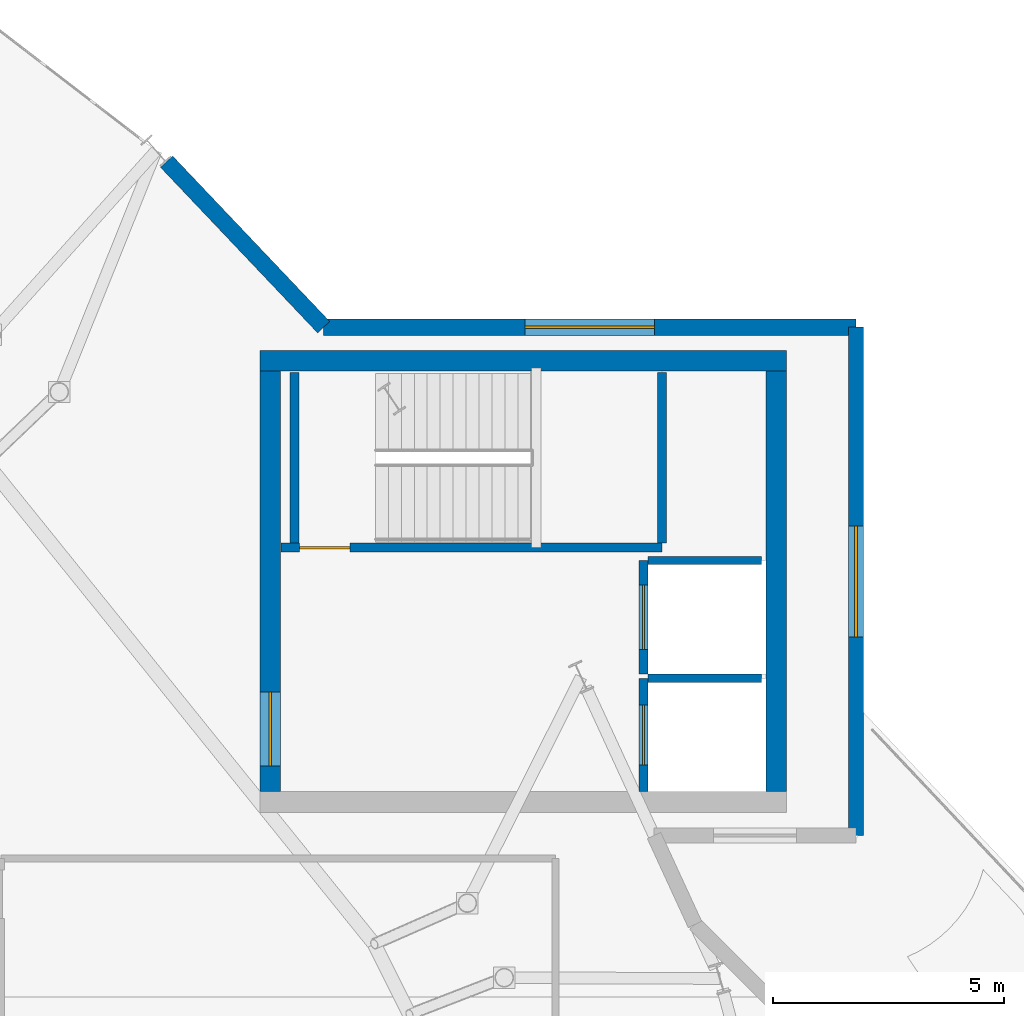
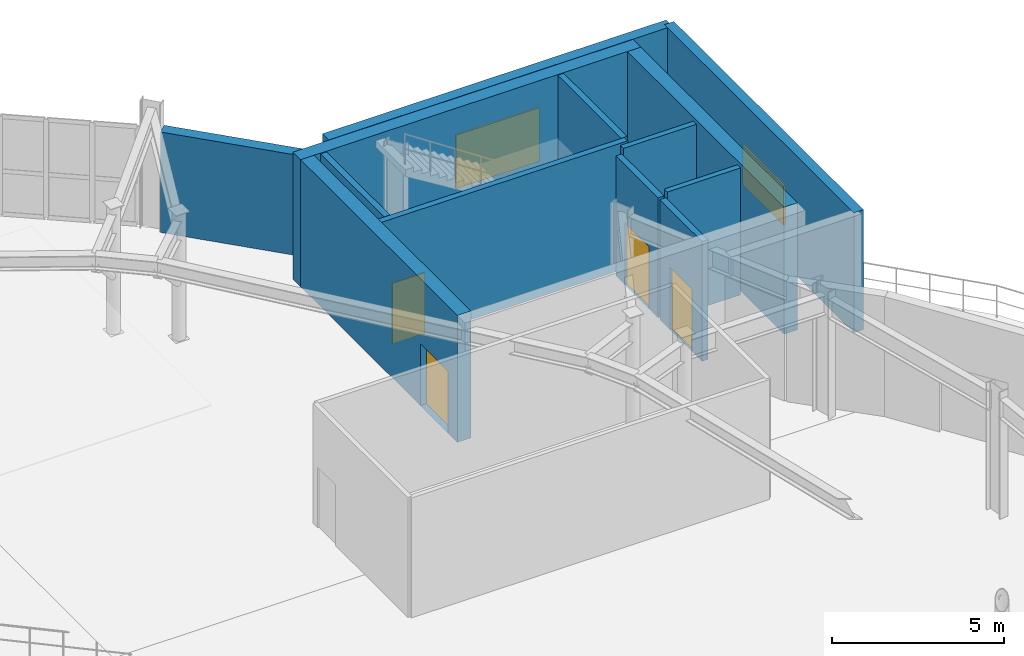
# One storey, part 42 of 48: 13 walls, 4 doors, 2 windows, 6 openings.
"""IFC4 building model written with IfcOpenShell, lengths in metres."""

from ifc_helpers import new_model, si_unit, direction, frame, frame_2d, origin, place, context, subcontext, project, spatial, rectangle, extrude, material, layer, layer_set, type_object, element, fill, save


model = new_model("IFC4")

# Units and contexts
model_context = context("Model", 3, precision=1e-05, world=origin(), true_north=direction((0.0, 1.0)))
body_context = subcontext(model_context, "Body", "Model", "MODEL_VIEW")
ifc_project = project(units=[si_unit("LENGTHUNIT", "METRE"), si_unit("AREAUNIT", "SQUARE_METRE"), si_unit("VOLUMEUNIT", "CUBIC_METRE"), si_unit("PLANEANGLEUNIT", "RADIAN"), si_unit("MASSUNIT", "GRAM", prefix="KILO")], contexts=[model_context])

# Site, building, storey
site_placement = place(None, origin())
site = spatial("IfcSite", under=ifc_project, at=site_placement, CompositionType="ELEMENT")
building_placement = place(site_placement, origin())
building = spatial("IfcBuilding", under=site, at=building_placement, Name="Glasvene Arena", CompositionType="ELEMENT")
storey_placement = place(building_placement, frame((0.0, 0.0, 19.5)))
storey = spatial("IfcBuildingStorey", under=building, at=storey_placement, Name="L04", CompositionType="ELEMENT", Elevation=19.5)

# Wall
ifc_material_1 = material(Name="Concrete C40/50", Category="concrete")
ifc_layer_1 = layer(ifc_material_1, 0.449951171875)
ifc_layer_set_1 = layer_set([ifc_layer_1], Name="Concrete C40/50")
wall_type_1 = type_object("IfcWallType", Name="WL-CORE-450", PredefinedType="SHEAR", material=ifc_layer_set_1)
wall_1_placement = place(storey_placement, frame((129.60009765625, 100.27490234375, 0.0), z_axis=(0.0, 0.0, 1.0), x_axis=(1.0, 0.0, 0.0)))
element("IfcWall", 1, at=wall_1_placement, inside=storey, type_object=wall_type_1, Name="Core C2 North-East shear wall N L04", PredefinedType="SHEAR", context=body_context, shape_type="SweptSolid", body=[
    extrude(rectangle(XDim=11.39990234375, YDim=0.449951171875, at=frame_2d((5.699951171875, 0.0))), origin(), (0.0, 0.0, 1.0), 4.5),
])

# Wall, opening, door
wall_2_placement = place(storey_placement, frame((129.824951171875, 90.949951171875, 0.0), z_axis=(0.0, 0.0, 1.0), x_axis=(0.0, 1.0, 0.0)))
wall_2 = element("IfcWall", 2, at=wall_2_placement, inside=storey, type_object=wall_type_1, Name="Core C2 North-East shear wall W L04", PredefinedType="SHEAR", context=body_context, shape_type="SweptSolid", body=[
    extrude(rectangle(XDim=9.10009765625, YDim=0.449951171875, at=frame_2d((4.550048828125, 0.0))), origin(), (0.0, 0.0, 1.0), 4.5),
])
opening_1_placement = place(wall_2_placement, frame((0.550048828125, 0.0, 0.0)))
opening_1 = element("IfcOpeningElement", 3, at=opening_1_placement, cuts=wall_2, Name="Opening D-02", PredefinedType="OPENING", context=body_context, shape_type="SweptSolid", body=[
    extrude(rectangle(XDim=1.60009765625, YDim=2.199951171875, at=frame_2d((0.800048828125, 1.10009765625))), frame((0.0, 0.23486328125, 0.0), z_axis=(0.0, -1.0, 0.0), x_axis=(1.0, 0.0, 0.0)), (0.0, 0.0, 1.0), 0.469970703125),
])
ifc_material_2 = material(Name="Painted fire-resisting steel", Category="steel")
door_type_1 = type_object("IfcDoorType", Name="DR-FD60-1600", OperationType="DOUBLE_DOOR_SINGLE_SWING", PredefinedType="DOOR", material=ifc_material_2)
door_1_placement = place(opening_1_placement, frame((1.60009765625, 0.0, 0.0), z_axis=(0.0, 0.0, 1.0), x_axis=(-1.0, 0.0, 0.0)))
door_1 = element("IfcDoor", 4, at=door_1_placement, inside=storey, type_object=door_type_1, Name="Core firefighting lobby concourse door C2-L04", OperationType="DOUBLE_DOOR_SINGLE_SWING", OverallHeight=2.199951171875, OverallWidth=1.60009765625, PredefinedType="DOOR", context=body_context, shape_type="SweptSolid", body=[
    extrude(rectangle(XDim=1.60009765625, YDim=2.199951171875, at=frame_2d((0.800048828125, 1.10009765625))), frame((0.0, 0.02490234375, 0.0), z_axis=(0.0, -1.0, 0.0), x_axis=(1.0, 0.0, 0.0)), (0.0, 0.0, 1.0), 0.050048828125),
])
fill(opening_1, door_1)

# Walls
wall_3_placement = place(storey_placement, frame((140.77490234375, 90.949951171875, 0.0), z_axis=(0.0, 0.0, 1.0), x_axis=(0.0, 1.0, 0.0)))
element("IfcWall", 5, at=wall_3_placement, inside=storey, type_object=wall_type_1, Name="Core C2 North-East shear wall E L04", PredefinedType="SHEAR", context=body_context, shape_type="SweptSolid", body=[
    extrude(rectangle(XDim=9.10009765625, YDim=0.449951171875, at=frame_2d((4.550048828125, 0.0))), origin(), (0.0, 0.0, 1.0), 4.5),
])
ifc_material_3 = material(Name="Coursed pale Irish limestone", Category="masonry")
ifc_layer_2 = layer(ifc_material_3, 0.360107421875)
ifc_layer_set_2 = layer_set([ifc_layer_2], Name="Coursed pale Irish limestone")
wall_type_2 = type_object("IfcWallType", Name="WL-EXT-LIM-360", PredefinedType="STANDARD", material=ifc_layer_set_2)
wall_4_placement = place(storey_placement, frame((127.58056640625, 104.58251953125, 0.0), z_axis=(0.0, 0.0, 1.0), x_axis=(0.688351817281, -0.725376988638, 0.0)))
element("IfcWall", 6, at=wall_4_placement, inside=storey, type_object=wall_type_2, Name="External facade wall EW-L04-0260", PredefinedType="STANDARD", context=body_context, shape_type="SweptSolid", body=[
    extrude(rectangle(XDim=4.938720703125, YDim=0.360107421875, at=frame_2d((2.46923828125, 0.0))), origin(), (0.0, 0.0, 1.0), 3.5615234375),
])

# Wall, opening, window
wall_5_placement = place(storey_placement, frame((130.980224609375, 101.0, 0.0), z_axis=(0.0, 0.0, 1.0), x_axis=(1.0, 0.0, 0.0)))
wall_5 = element("IfcWall", 7, at=wall_5_placement, inside=storey, type_object=wall_type_2, Name="External facade wall EW-L04-0261", PredefinedType="STANDARD", context=body_context, shape_type="SweptSolid", body=[
    extrude(rectangle(XDim=11.519775390625, YDim=0.360107421875, at=frame_2d((5.759765625, 0.0))), origin(), (0.0, 0.0, 1.0), 4.25),
])
opening_2_placement = place(wall_5_placement, frame((4.360107421875, 0.0, 0.89990234375)))
opening_2 = element("IfcOpeningElement", 8, at=opening_2_placement, cuts=wall_5, Name="Opening W-10", PredefinedType="OPENING", context=body_context, shape_type="SweptSolid", body=[
    extrude(rectangle(XDim=2.800048828125, YDim=1.89990234375, at=frame_2d((1.39990234375, 0.949951171875))), frame((0.0, 0.18994140625, 0.0), z_axis=(0.0, -1.0, 0.0), x_axis=(1.0, 0.0, 0.0)), (0.0, 0.0, 1.0), 0.380126953125),
])
ifc_material_4 = material(Name="Low-emissivity laminated double glazing", Category="glass")
window_type_1 = type_object("IfcWindowType", Name="WN-SKY-280x190", PartitioningType="DOUBLE_PANEL_VERTICAL", PredefinedType="WINDOW", material=ifc_material_4)
window_1_placement = place(opening_2_placement, origin())
window_1 = element("IfcWindow", 9, at=window_1_placement, inside=storey, type_object=window_type_1, Name="Facade window WN-SKY-280x190 L04-0166", OverallHeight=1.89990234375, OverallWidth=2.800048828125, PartitioningType="SINGLE_PANEL", PredefinedType="WINDOW", context=body_context, shape_type="SweptSolid", body=[
    extrude(rectangle(XDim=2.800048828125, YDim=1.89990234375, at=frame_2d((1.39990234375, 0.949951171875))), frame((0.0, 0.030029296875, 0.0), z_axis=(0.0, -1.0, 0.0), x_axis=(1.0, 0.0, 0.0)), (0.0, 0.0, 1.0), 0.06005859375),
])
fill(opening_2, window_1)

ifc_material_5 = material(Name="Precast concrete C50/60", Category="concrete")
ifc_layer_3 = layer(ifc_material_5, 0.320068359375)
ifc_layer_set_3 = layer_set([ifc_layer_3], Name="Precast concrete C50/60")
wall_type_3 = type_object("IfcWallType", Name="WL-EXT-PRC-320", PredefinedType="STANDARD", material=ifc_layer_set_3)
wall_6_placement = place(storey_placement, frame((142.5, 101.0, 0.0), z_axis=(0.0, 0.0, 1.0), x_axis=(0.0, -1.0, 0.0)))
wall_6 = element("IfcWall", 10, at=wall_6_placement, inside=storey, type_object=wall_type_3, Name="External facade wall EW-L04-0262", PredefinedType="STANDARD", context=body_context, shape_type="SweptSolid", body=[
    extrude(rectangle(XDim=11.0, YDim=0.320068359375, at=frame_2d((5.5, 0.0))), origin(), (0.0, 0.0, 1.0), 4.25),
])
opening_3_placement = place(wall_6_placement, frame((4.300048828125, 0.0, 1.14990234375)))
opening_3 = element("IfcOpeningElement", 11, at=opening_3_placement, cuts=wall_6, Name="Opening W-18", PredefinedType="OPENING", context=body_context, shape_type="SweptSolid", body=[
    extrude(rectangle(XDim=2.39990234375, YDim=1.39990234375, at=frame_2d((1.199951171875, 0.699951171875))), frame((0.0, 0.169921875, 0.0), z_axis=(0.0, -1.0, 0.0), x_axis=(1.0, 0.0, 0.0)), (0.0, 0.0, 1.0), 0.340087890625),
])
window_type_2 = type_object("IfcWindowType", Name="WN-LOUV-240x140", PartitioningType="DOUBLE_PANEL_HORIZONTAL", PredefinedType="WINDOW", material=ifc_material_4)
window_2_placement = place(opening_3_placement, origin())
window_2 = element("IfcWindow", 12, at=window_2_placement, inside=storey, type_object=window_type_2, Name="Facade window WN-LOUV-240x140 L04-0167", OverallHeight=1.39990234375, OverallWidth=2.39990234375, PartitioningType="SINGLE_PANEL", PredefinedType="WINDOW", context=body_context, shape_type="SweptSolid", body=[
    extrude(rectangle(XDim=2.39990234375, YDim=1.39990234375, at=frame_2d((1.199951171875, 0.699951171875))), frame((0.0, 0.030029296875, 0.0), z_axis=(0.0, -1.0, 0.0), x_axis=(1.0, 0.0, 0.0)), (0.0, 0.0, 1.0), 0.06005859375),
])
fill(opening_3, window_2)

# Wall, opening, door
ifc_layer_4 = layer(ifc_material_1, 0.199951171875)
ifc_layer_set_4 = layer_set([ifc_layer_4], Name="Concrete C40/50")
wall_type_4 = type_object("IfcWallType", Name="WL-SHAFT-200", PredefinedType="SHEAR", material=ifc_layer_set_4)
wall_7_placement = place(storey_placement, frame((137.89990234375, 90.949951171875, 0.0), z_axis=(0.0, 0.0, 1.0), x_axis=(0.0, 1.0, 0.0)))
wall_7 = element("IfcWall", 13, at=wall_7_placement, inside=storey, type_object=wall_type_4, Name="Lift shaft front wall FFL-02 L04", PredefinedType="SHEAR", context=body_context, shape_type="SweptSolid", body=[
    extrude(rectangle(XDim=2.449951171875, YDim=0.199951171875, at=frame_2d((1.22509765625, 0.0))), origin(), (0.0, 0.0, 1.0), 4.25),
])
opening_4_placement = place(wall_7_placement, frame((0.574951171875, 0.0, 0.0)))
opening_4 = element("IfcOpeningElement", 14, at=opening_4_placement, cuts=wall_7, Name="Opening LD-FF", PredefinedType="OPENING", context=body_context, shape_type="SweptSolid", body=[
    extrude(rectangle(XDim=1.300048828125, YDim=2.199951171875, at=frame_2d((0.64990234375, 1.10009765625))), frame((0.0, 0.10986328125, 0.0), z_axis=(0.0, -1.0, 0.0), x_axis=(1.0, 0.0, 0.0)), (0.0, 0.0, 1.0), 0.219970703125),
])
ifc_material_6 = material(Name="Brushed stainless steel", Category="steel")
door_type_2 = type_object("IfcDoorType", Name="LD-FFL-1300", OperationType="DOUBLE_DOOR_SLIDING", PredefinedType="DOOR", material=ifc_material_6)
door_2_placement = place(opening_4_placement, origin())
door_2 = element("IfcDoor", 15, at=door_2_placement, inside=storey, type_object=door_type_2, Name="Lift sliding landing door LD-FFL-02-L04", OperationType="DOUBLE_DOOR_SLIDING", OverallHeight=2.199951171875, OverallWidth=1.300048828125, PredefinedType="DOOR", context=body_context, shape_type="SweptSolid", body=[
    extrude(rectangle(XDim=1.300048828125, YDim=2.199951171875, at=frame_2d((0.64990234375, 1.10009765625))), frame((0.0, 0.02490234375, 0.0), z_axis=(0.0, -1.0, 0.0), x_axis=(1.0, 0.0, 0.0)), (0.0, 0.0, 1.0), 0.050048828125),
])
fill(opening_4, door_2)

wall_8_placement = place(storey_placement, frame((137.89990234375, 93.5, 0.0), z_axis=(0.0, 0.0, 1.0), x_axis=(0.0, 1.0, 0.0)))
wall_8 = element("IfcWall", 16, at=wall_8_placement, inside=storey, type_object=wall_type_4, Name="Lift shaft front wall PL-02 L04", PredefinedType="SHEAR", context=body_context, shape_type="SweptSolid", body=[
    extrude(rectangle(XDim=2.449951171875, YDim=0.199951171875, at=frame_2d((1.22509765625, 0.0))), origin(), (0.0, 0.0, 1.0), 4.25),
])
opening_5_placement = place(wall_8_placement, frame((0.52490234375, 0.0, 0.0)))
opening_5 = element("IfcOpeningElement", 17, at=opening_5_placement, cuts=wall_8, Name="Opening LD-PL", PredefinedType="OPENING", context=body_context, shape_type="SweptSolid", body=[
    extrude(rectangle(XDim=1.39990234375, YDim=2.199951171875, at=frame_2d((0.699951171875, 1.10009765625))), frame((0.0, 0.10986328125, 0.0), z_axis=(0.0, -1.0, 0.0), x_axis=(1.0, 0.0, 0.0)), (0.0, 0.0, 1.0), 0.219970703125),
])
door_type_3 = type_object("IfcDoorType", Name="LD-PL-1400", OperationType="DOUBLE_DOOR_SLIDING", PredefinedType="DOOR", material=ifc_material_6)
door_3_placement = place(opening_5_placement, origin())
door_3 = element("IfcDoor", 18, at=door_3_placement, inside=storey, type_object=door_type_3, Name="Lift sliding landing door LD-PL-02-L04", OperationType="DOUBLE_DOOR_SLIDING", OverallHeight=2.199951171875, OverallWidth=1.39990234375, PredefinedType="DOOR", context=body_context, shape_type="SweptSolid", body=[
    extrude(rectangle(XDim=1.39990234375, YDim=2.199951171875, at=frame_2d((0.699951171875, 1.10009765625))), frame((0.0, 0.02490234375, 0.0), z_axis=(0.0, -1.0, 0.0), x_axis=(1.0, 0.0, 0.0)), (0.0, 0.0, 1.0), 0.050048828125),
])
fill(opening_5, door_3)

wall_9_placement = place(storey_placement, frame((130.052001953125, 96.22998046875, 0.0), z_axis=(0.0, 0.0, 1.0), x_axis=(1.0, 0.0, 0.0)))
wall_9 = element("IfcWall", 19, at=wall_9_placement, inside=storey, type_object=wall_type_4, Name="Escape stair shaft wall ST-02 L04 S", PredefinedType="SHEAR", context=body_context, shape_type="SweptSolid", body=[
    extrude(rectangle(XDim=8.248046875, YDim=0.199951171875, at=frame_2d((4.1240234375, 0.0))), origin(), (0.0, 0.0, 1.0), 4.5),
])
opening_6_placement = place(wall_9_placement, frame((0.39990234375, 0.0, 0.0)))
opening_6 = element("IfcOpeningElement", 20, at=opening_6_placement, cuts=wall_9, Name="Opening D-04", PredefinedType="OPENING", context=body_context, shape_type="SweptSolid", body=[
    extrude(rectangle(XDim=1.10009765625, YDim=2.14990234375, at=frame_2d((0.550048828125, 1.074951171875))), frame((0.0, 0.10986328125, 0.0), z_axis=(0.0, -1.0, 0.0), x_axis=(1.0, 0.0, 0.0)), (0.0, 0.0, 1.0), 0.219970703125),
])
door_type_4 = type_object("IfcDoorType", Name="DR-FD60-1100", OperationType="NOTDEFINED", PredefinedType="DOOR", material=ifc_material_2)
door_4_placement = place(opening_6_placement, frame((1.10009765625, 0.0, 0.0), z_axis=(0.0, 0.0, 1.0), x_axis=(-1.0, 0.0, 0.0)))
door_4 = element("IfcDoor", 21, at=door_4_placement, inside=storey, type_object=door_type_4, Name="Protected escape stair door ST-02 L04", OperationType="SINGLE_SWING_RIGHT", OverallHeight=2.14990234375, OverallWidth=1.10009765625, PredefinedType="DOOR", context=body_context, shape_type="SweptSolid", body=[
    extrude(rectangle(XDim=1.10009765625, YDim=2.14990234375, at=frame_2d((0.550048828125, 1.074951171875))), frame((0.0, 0.02490234375, 0.0), z_axis=(0.0, -1.0, 0.0), x_axis=(1.0, 0.0, 0.0)), (0.0, 0.0, 1.0), 0.050048828125),
])
fill(opening_6, door_4)

# Walls
for number, where, z_axis, x_axis, name in (
    (22, (130.35009765625, 96.33203125, 0.0), (0.0, 0.0, 1.0), (0.0, 1.0, 0.0), "Escape stair shaft wall ST-02 L04 W"),
    (23, (138.300048828125, 96.33203125, 0.0), (0.0, 0.0, 1.0), (0.0, 1.0, 0.0), "Escape stair shaft wall ST-02 L04 E"),
):
    element("IfcWall", number, at=place(storey_placement, frame(where, z_axis=z_axis, x_axis=x_axis)), inside=storey, type_object=wall_type_4, Name=name, PredefinedType="SHEAR", context=body_context, shape_type="SweptSolid", body=[
        extrude(rectangle(XDim=3.68603515625, YDim=0.199951171875, at=frame_2d((1.843017578125, 0.0))), origin(), (0.0, 0.0, 1.0), 4.5),
    ])
ifc_material_7 = material(Name="Moisture-resistant masonry blockwork", Category="masonry")
ifc_layer_5 = layer(ifc_material_7, 0.179931640625)
ifc_layer_set_5 = layer_set([ifc_layer_5], Name="Moisture-resistant masonry blockwork")
wall_type_5 = type_object("IfcWallType", Name="WL-WET-180", PredefinedType="PARTITIONING", material=ifc_layer_set_5)
for number, where, z_axis, x_axis, name in (
    (24, (138.0, 93.39990234375, 0.0), (0.0, 0.0, 1.0), (1.0, 0.0, 0.0), "Lift shaft divider wall C2 L04"),
    (25, (138.0, 95.949951171875, 0.0), (0.0, 0.0, 1.0), (1.0, 0.0, 0.0), "Lift shaft north enclosure wall C2 L04"),
):
    element("IfcWall", number, at=place(storey_placement, frame(where, z_axis=z_axis, x_axis=x_axis)), inside=storey, type_object=wall_type_5, Name=name, PredefinedType="PARTITIONING", context=body_context, shape_type="SweptSolid", body=[
        extrude(rectangle(XDim=2.449951171875, YDim=0.179931640625, at=frame_2d((1.22509765625, 0.0))), origin(), (0.0, 0.0, 1.0), 4.5),
    ])

save(model, "model.ifc")
